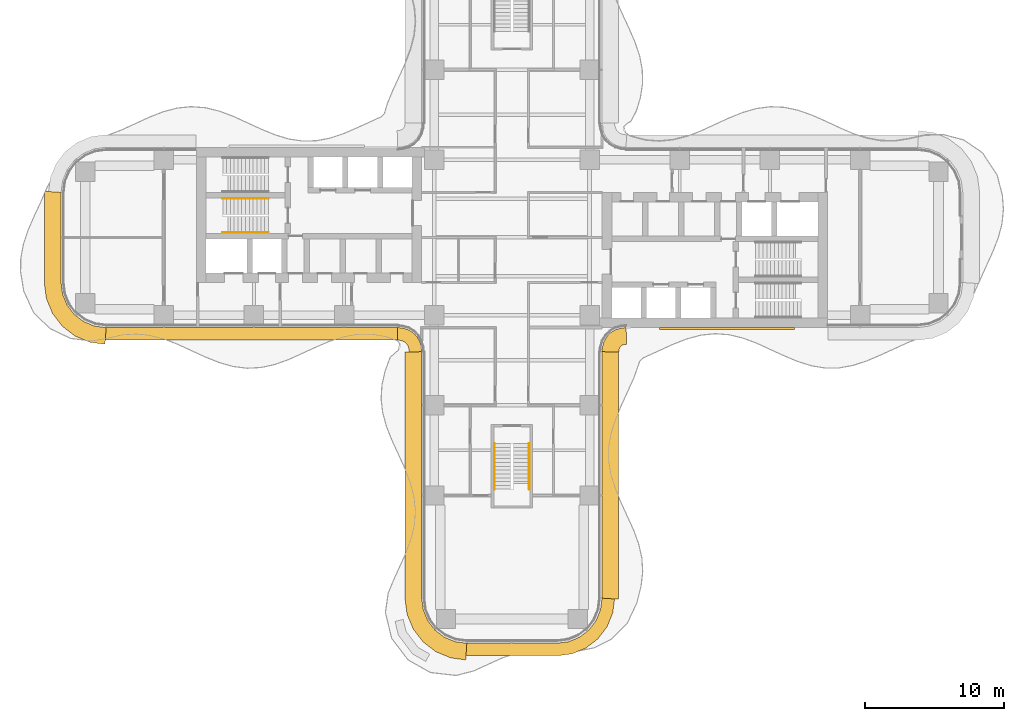
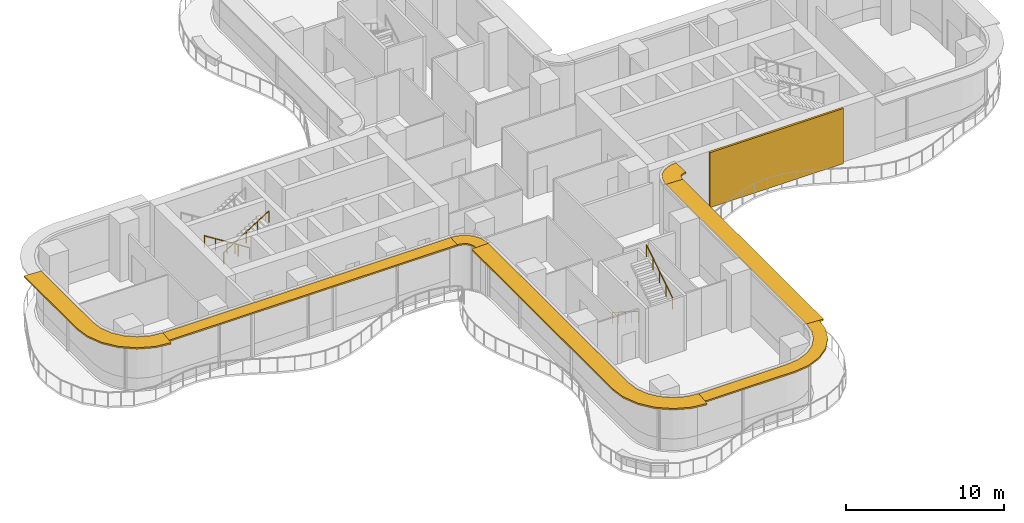
# One storey, part 21 of 22: 7 shading devices, 4 railings, 1 covering.
"""IFC4 building model written with IfcOpenShell, lengths in metres."""

import ifcopenshell
import ifcopenshell.guid

model = None  # the IFC model being written
_history = None  # IfcOwnerHistory: only IFC2X3 demands one
_inside = {}  # id of a spatial element -> (the spatial element, [elements in it])
_under = {}  # id of a project, library or spatial element -> (it, [spatial elements below it])
_declared = {}  # id of a project -> (the project, [libraries it declares])
_typed = {}  # id of a type object -> (the type object, [elements of that type])
_made_of = {}  # id of a material, layer set ... -> (it, [elements and type objects made of it])


def new_model(schema):
    """Start an empty IFC model of exactly this schema.

    Asked for "IFC4X3", IfcOpenShell would pick the latest addendum, in which some entities
    have other attributes; the version numbers below select the first issue.
    IFC2X3 requires an IfcOwnerHistory on every rooted entity: one is made here for all.
    """
    global model, _history
    if schema == "IFC4X3":
        model = ifcopenshell.file(schema_version=(4, 3, 0, 0))
    else:
        model = ifcopenshell.file(schema=schema)
    _inside.clear()
    _under.clear()
    _declared.clear()
    _typed.clear()
    _made_of.clear()
    _history = None
    if model.schema == "IFC2X3":
        org = make("IfcOrganization", Name="unknown")
        user = make(
            "IfcPersonAndOrganization",
            ThePerson=make("IfcPerson", FamilyName="unknown"),
            TheOrganization=org,
        )
        app = make(
            "IfcApplication",
            ApplicationDeveloper=org,
            Version="unknown",
            ApplicationFullName="unknown",
            ApplicationIdentifier="unknown",
        )
        _history = make(
            "IfcOwnerHistory",
            OwningUser=user,
            OwningApplication=app,
            ChangeAction="ADDED",
            CreationDate=0,
        )
    return model


def make(cls, **values):
    """One entity of the class cls with the attributes given. An attribute that is None is left unset."""
    return model.create_entity(
        cls, **{name: value for name, value in values.items() if value is not None}
    )


def rooted(cls, **values):
    """An entity with a GlobalId (a new one), such as an element, a storey or a relation."""
    return make(cls, GlobalId=ifcopenshell.guid.new(), OwnerHistory=_history, **values)


def si_unit(unit_type, name, prefix=None):
    """IfcSIUnit, for example si_unit("LENGTHUNIT", "METRE", prefix="MILLI")."""
    return make("IfcSIUnit", UnitType=unit_type, Prefix=prefix, Name=name)


def assignment(units):
    """IfcUnitAssignment: the units of a project."""
    return None if units is None else make("IfcUnitAssignment", Units=units)


def point(xyz):
    """IfcCartesianPoint."""
    return None if xyz is None else make("IfcCartesianPoint", Coordinates=xyz)


def direction(xyz):
    """IfcDirection."""
    return None if xyz is None else make("IfcDirection", DirectionRatios=xyz)


def frame(location, z_axis=None, x_axis=None):
    """IfcAxis2Placement3D, a coordinate frame: its origin and axes. An axis left out is left unset."""
    return make(
        "IfcAxis2Placement3D",
        Location=point(location),
        Axis=direction(z_axis),
        RefDirection=direction(x_axis),
    )


def frame_2d(location, x_axis=None):
    """IfcAxis2Placement2D, a coordinate frame in the plane: its origin and x axis."""
    return make(
        "IfcAxis2Placement2D", Location=point(location), RefDirection=direction(x_axis)
    )


def origin():
    """The frame at (0, 0, 0) with its axes left unset."""
    return frame((0.0, 0.0, 0.0))


def origin_2d():
    """The frame at (0, 0) in the plane with its x axis left unset."""
    return frame_2d((0.0, 0.0))


def place(relative_to, where):
    """IfcLocalPlacement: puts the frame where relative to a parent placement (None: the world)."""
    return make(
        "IfcLocalPlacement", PlacementRelTo=relative_to, RelativePlacement=where
    )


def context(
    kind, dimensions, precision=None, world=None, true_north=None, identifier=None
):
    """IfcGeometricRepresentationContext, for example the 3D "Model" context."""
    return make(
        "IfcGeometricRepresentationContext",
        ContextIdentifier=identifier,
        ContextType=kind,
        CoordinateSpaceDimension=dimensions,
        Precision=precision,
        WorldCoordinateSystem=world,
        TrueNorth=true_north,
    )


def subcontext(parent, identifier, kind, view, scale=None):
    """IfcGeometricRepresentationSubContext, for example "Body" below "Model"."""
    return make(
        "IfcGeometricRepresentationSubContext",
        ContextIdentifier=identifier,
        ContextType=kind,
        ParentContext=parent,
        TargetScale=scale,
        TargetView=view,
    )


def project(units=None, contexts=None):
    """IfcProject with its units and contexts."""
    return rooted(
        "IfcProject",
        Name="project",
        RepresentationContexts=contexts,
        UnitsInContext=assignment(units),
    )


def spatial(cls, under=None, at=None, **own):
    """A site, building, storey or space (cls), placed at a placement, below another one or the project."""
    s = rooted(cls, ObjectPlacement=at, **own)
    if under is not None:
        _under.setdefault(under.id(), (under, []))[1].append(s)
    return s


def polyline(points):
    """IfcPolyline through the points."""
    return make("IfcPolyline", Points=[point(p) for p in points])


def profile(cls, at=None, kind="AREA", **sizes):
    """A parametric profile (cls). Its sizes go by their IFC names, for example OverallWidth=200.0."""
    return make(cls, ProfileType=kind, Position=at, **sizes)


def circle(**sizes):
    """IfcCircleProfileDef."""
    return profile("IfcCircleProfileDef", **sizes)


def outline(outer, holes=None, kind="AREA"):
    """IfcArbitraryClosedProfileDef: a profile drawn as a closed curve; with holes, ...WithVoids."""
    if holes is None:
        return make("IfcArbitraryClosedProfileDef", ProfileType=kind, OuterCurve=outer)
    return make(
        "IfcArbitraryProfileDefWithVoids",
        ProfileType=kind,
        OuterCurve=outer,
        InnerCurves=holes,
    )


def extrude(swept, where, along, depth):
    """IfcExtrudedAreaSolid: the profile swept, set in the frame where, extruded along a direction by depth."""
    return make(
        "IfcExtrudedAreaSolid",
        SweptArea=swept,
        Position=where,
        ExtrudedDirection=direction(along),
        Depth=depth,
    )


def shape(context_of_items, identifier, shape_type, items):
    """IfcShapeRepresentation: the items that make up one representation, for example the "Body"."""
    return make(
        "IfcShapeRepresentation",
        ContextOfItems=context_of_items,
        RepresentationIdentifier=identifier,
        RepresentationType=shape_type,
        Items=items,
    )


def source(mapping_origin, context_of_items, identifier, shape_type, items):
    """IfcRepresentationMap: a shape defined once, which mapped items show again and again."""
    return make(
        "IfcRepresentationMap",
        MappingOrigin=mapping_origin,
        MappedRepresentation=shape(context_of_items, identifier, shape_type, items),
    )


def transform(
    local_origin,
    x_axis=None,
    y_axis=None,
    z_axis=None,
    scale=None,
    scale2=None,
    scale3=None,
    uniform=True,
):
    """IfcCartesianTransformationOperator3D, or its non-uniform kind. x_axis, y_axis, z_axis: its Axis1, 2, 3."""
    if uniform:
        return make(
            "IfcCartesianTransformationOperator3D",
            Axis1=direction(x_axis),
            Axis2=direction(y_axis),
            LocalOrigin=point(local_origin),
            Scale=scale,
            Axis3=direction(z_axis),
        )
    return make(
        "IfcCartesianTransformationOperator3DnonUniform",
        Axis1=direction(x_axis),
        Axis2=direction(y_axis),
        LocalOrigin=point(local_origin),
        Scale=scale,
        Axis3=direction(z_axis),
        Scale2=scale2,
        Scale3=scale3,
    )


def mapped(mapping_source, mapping_target):
    """IfcMappedItem: shows the shape of a source again, moved by a transform."""
    return make(
        "IfcMappedItem", MappingSource=mapping_source, MappingTarget=mapping_target
    )


def material(Name=None, Category=None):
    """IfcMaterial."""
    return make("IfcMaterial", Name=Name, Category=Category)


def layer(
    of_material, thickness, ventilated=None, Name=None, Category=None, Priority=None
):
    """IfcMaterialLayer: one layer of a wall or slab, of a material (None: an air gap)."""
    return make(
        "IfcMaterialLayer",
        Material=of_material,
        LayerThickness=thickness,
        IsVentilated=ventilated,
        Name=Name,
        Category=Category,
        Priority=Priority,
    )


def layer_set(layers, Name=None):
    """IfcMaterialLayerSet."""
    return make("IfcMaterialLayerSet", MaterialLayers=layers, LayerSetName=Name)


def made_of(thing, what):
    """Note that an element or type object is made of a material, layer set ...; save() writes the relation."""
    if what is not None:
        _made_of.setdefault(what.id(), (what, []))[1].append(thing)
    return thing


def type_object(cls, material=None, **own):
    """A type object (cls), such as IfcWallType, which elements share."""
    return made_of(rooted(cls, **own), material)


def element(
    cls,
    number,
    at=None,
    inside=None,
    cuts=None,
    type_object=None,
    material=None,
    context=None,
    identifier="Body",
    shape_type=None,
    held_by="IfcProductDefinitionShape",
    body=None,
    shapes=None,
    **own,
):
    """One element of the class cls, such as IfcWall. Its Tag is "e" and its number.

    at: its placement. inside: the storey or other place that contains it. cuts: it is an
    opening in that element (IfcRelVoidsElement). A single representation is given by context,
    identifier, shape_type and body (its items); several are given by shapes. held_by: the class
    of the entity that holds the representations. save() writes the other relations.
    """
    e = rooted(cls, Tag="e%d" % number, ObjectPlacement=at, **own)
    if body is not None:
        shapes = [shape(context, identifier, shape_type, body)]
    if shapes is not None:
        e.Representation = make(held_by, Representations=shapes)
    if inside is not None:
        _inside.setdefault(inside.id(), (inside, []))[1].append(e)
    if cuts is not None:
        rooted(
            "IfcRelVoidsElement", RelatingBuildingElement=cuts, RelatedOpeningElement=e
        )
    if type_object is not None:
        _typed.setdefault(type_object.id(), (type_object, []))[1].append(e)
    return made_of(e, material)


def aggregate(whole, parts):
    """IfcRelAggregates: a whole, such as a stair, and the parts it consists of."""
    return rooted("IfcRelAggregates", RelatingObject=whole, RelatedObjects=parts)


def save(model, path):
    """Write the relations noted so far, then the file.

    IfcRelAggregates (storeys below a building ...), IfcRelContainedInSpatialStructure (elements
    in a storey), IfcRelDefinesByType, IfcRelAssociatesMaterial and IfcRelDeclares: one each for
    every whole, place, type object, material and project.
    """
    for whole, parts in _under.values():
        aggregate(whole, parts)
    for where, things in _inside.values():
        rooted(
            "IfcRelContainedInSpatialStructure",
            RelatedElements=things,
            RelatingStructure=where,
        )
    for kind, things in _typed.values():
        rooted("IfcRelDefinesByType", RelatedObjects=things, RelatingType=kind)
    for what, things in _made_of.values():
        rooted("IfcRelAssociatesMaterial", RelatedObjects=things, RelatingMaterial=what)
    for by, libraries in _declared.values():
        rooted("IfcRelDeclares", RelatingContext=by, RelatedDefinitions=libraries)
    model.write(path)


model = new_model("IFC4")

# Units and contexts
model_context = context("Model", 3, precision=1e-05, world=origin(), true_north=direction((0.0, 1.0)))
body_context = subcontext(model_context, "Body", "Model", "MODEL_VIEW")
ifc_project = project(units=[si_unit("LENGTHUNIT", "METRE"), si_unit("AREAUNIT", "SQUARE_METRE"), si_unit("VOLUMEUNIT", "CUBIC_METRE"), si_unit("PLANEANGLEUNIT", "RADIAN"), si_unit("MASSUNIT", "GRAM", prefix="KILO")], contexts=[model_context])

# Site, building, storey
site_placement = place(None, origin())
site = spatial("IfcSite", under=ifc_project, at=site_placement, CompositionType="ELEMENT")
building_placement = place(site_placement, origin())
building = spatial("IfcBuilding", under=site, at=building_placement, Name="Trellis Farm Tower", CompositionType="ELEMENT")
storey_placement = place(building_placement, frame((0.0, 0.0, 38.5)))
storey = spatial("IfcBuildingStorey", under=building, at=storey_placement, Name="L07", CompositionType="ELEMENT", Elevation=38.5)

# Railings
ifc_material_1 = material(Name="Stainless steel", Category="steel")
railing_type = type_object("IfcRailingType", Name="STAIR HANDRAIL 900", PredefinedType="HANDRAIL", material=ifc_material_1)
shared_shape_1 = source(origin(), body_context, "Body", "SweptSolid", [
    extrude(circle(Radius=0.02392578125, at=origin_2d()), frame((0.0, 0.0, 0.8759765625), z_axis=(0.0, 0.846319618018, 0.532675421018), x_axis=(-1.0, 0.0, 0.0)), (0.0, 0.0, 1.0), 3.89892578125),
    extrude(circle(Radius=0.02099609375, at=origin_2d()), origin(), (0.0, 0.0, 1.0), 0.851806640625),
    extrude(circle(Radius=0.02099609375, at=origin_2d()), frame((0.0, 0.824951171875, 0.519287109375)), (0.0, 0.0, 1.0), 0.851806640625),
    extrude(circle(Radius=0.02099609375, at=origin_2d()), frame((0.0, 1.64990234375, 1.03857421875)), (0.0, 0.0, 1.0), 0.851806640625),
    extrude(circle(Radius=0.02099609375, at=origin_2d()), frame((0.0, 2.474853515625, 1.5576171875)), (0.0, 0.0, 1.0), 0.851806640625),
    extrude(circle(Radius=0.02099609375, at=origin_2d()), frame((0.0, 3.2998046875, 2.076904296875)), (0.0, 0.0, 1.0), 0.851806640625),
])
railing_1_placement = place(storey_placement, frame((1.25, -18.14990234375, 2.423095703125)))
element("IfcRailing", 1, at=railing_1_placement, inside=storey, type_object=railing_type, Name="Stair handrail", PredefinedType="HANDRAIL", context=body_context, shape_type="MappedRepresentation", body=[
    mapped(shared_shape_1, transform((0.0, 0.0, 0.0))),
])
shared_shape_2 = source(origin(), body_context, "Body", "SweptSolid", [
    extrude(circle(Radius=0.02392578125, at=origin_2d()), frame((0.0, 0.0, 0.8759765625), z_axis=(0.0, -0.846319618018, 0.532675421018), x_axis=(1.0, 0.0, 0.0)), (0.0, 0.0, 1.0), 3.89892578125),
    extrude(circle(Radius=0.02099609375, at=origin_2d()), origin(), (0.0, 0.0, 1.0), 0.851806640625),
    extrude(circle(Radius=0.02099609375, at=origin_2d()), frame((0.0, -0.824951171875, 0.519287109375)), (0.0, 0.0, 1.0), 0.851806640625),
    extrude(circle(Radius=0.02099609375, at=origin_2d()), frame((0.0, -1.64990234375, 1.03857421875)), (0.0, 0.0, 1.0), 0.851806640625),
    extrude(circle(Radius=0.02099609375, at=origin_2d()), frame((0.0, -2.474853515625, 1.5576171875)), (0.0, 0.0, 1.0), 0.851806640625),
    extrude(circle(Radius=0.02099609375, at=origin_2d()), frame((0.0, -3.2998046875, 2.076904296875)), (0.0, 0.0, 1.0), 0.851806640625),
])
railing_2_placement = place(storey_placement, frame((-1.25, -14.85009765625, 0.173095703125)))
element("IfcRailing", 2, at=railing_2_placement, inside=storey, type_object=railing_type, Name="Stair handrail", PredefinedType="HANDRAIL", context=body_context, shape_type="MappedRepresentation", body=[
    mapped(shared_shape_2, transform((0.0, 0.0, 0.0))),
])
shared_shape_3 = source(origin(), body_context, "Body", "SweptSolid", [
    extrude(circle(Radius=0.02392578125, at=origin_2d()), frame((0.0, 0.0, 0.8759765625), z_axis=(0.846337383501, 0.0, 0.532647194011), x_axis=(0.0, 1.0, 0.0)), (0.0, 0.0, 1.0), 3.899169921875),
    extrude(circle(Radius=0.02099609375, at=origin_2d()), origin(), (0.0, 0.0, 1.0), 0.851806640625),
    extrude(circle(Radius=0.02099609375, at=origin_2d()), frame((0.824951171875, 0.0, 0.519287109375)), (0.0, 0.0, 1.0), 0.851806640625),
    extrude(circle(Radius=0.02099609375, at=origin_2d()), frame((1.64990234375, 0.0, 1.03857421875)), (0.0, 0.0, 1.0), 0.851806640625),
    extrude(circle(Radius=0.02099609375, at=origin_2d()), frame((2.47509765625, 0.0, 1.5576171875)), (0.0, 0.0, 1.0), 0.851806640625),
    extrude(circle(Radius=0.02099609375, at=origin_2d()), frame((3.300048828125, 0.0, 2.076904296875)), (0.0, 0.0, 1.0), 0.851806640625),
])
railing_3_placement = place(storey_placement, frame((-20.85009765625, 0.35009765625, 2.423095703125)))
element("IfcRailing", 3, at=railing_3_placement, inside=storey, type_object=railing_type, Name="Stair handrail", PredefinedType="HANDRAIL", context=body_context, shape_type="MappedRepresentation", body=[
    mapped(shared_shape_3, transform((0.0, 0.0, 0.0))),
])
shared_shape_4 = source(origin(), body_context, "Body", "SweptSolid", [
    extrude(circle(Radius=0.02392578125, at=origin_2d()), frame((0.0, 0.0, 0.8759765625), z_axis=(-0.846337383501, 0.0, 0.532647194011), x_axis=(0.0, -1.0, 0.0)), (0.0, 0.0, 1.0), 3.899169921875),
    extrude(circle(Radius=0.02099609375, at=origin_2d()), origin(), (0.0, 0.0, 1.0), 0.851806640625),
    extrude(circle(Radius=0.02099609375, at=origin_2d()), frame((-0.824951171875, 0.0, 0.519287109375)), (0.0, 0.0, 1.0), 0.851806640625),
    extrude(circle(Radius=0.02099609375, at=origin_2d()), frame((-1.64990234375, 0.0, 1.03857421875)), (0.0, 0.0, 1.0), 0.851806640625),
    extrude(circle(Radius=0.02099609375, at=origin_2d()), frame((-2.47509765625, 0.0, 1.5576171875)), (0.0, 0.0, 1.0), 0.851806640625),
    extrude(circle(Radius=0.02099609375, at=origin_2d()), frame((-3.300048828125, 0.0, 2.076904296875)), (0.0, 0.0, 1.0), 0.851806640625),
])
railing_4_placement = place(storey_placement, frame((-17.550048828125, 2.800048828125, 0.173095703125)))
element("IfcRailing", 4, at=railing_4_placement, inside=storey, type_object=railing_type, Name="Stair handrail", PredefinedType="HANDRAIL", context=body_context, shape_type="MappedRepresentation", body=[
    mapped(shared_shape_4, transform((0.0, 0.0, 0.0))),
])

# Shading devices
ifc_material_2 = material(Name="Aluminium extrusion 6063-T6", Category="aluminium")
ifc_layer_1 = layer(ifc_material_2, 0.1201171875)
ifc_layer_set_1 = layer_set([ifc_layer_1], Name="SUNSHADE BLADE 900")
shading_device_type_1 = type_object("IfcShadingDeviceType", Name="SUNSHADE BLADE 900", PredefinedType="USERDEFINED", material=ifc_layer_set_1)
shared_shape_5 = source(origin(), body_context, "Body", "SweptSolid", [
    extrude(outline(polyline([(-29.30908203125, -7.39990234375), (-8.2607421875, -7.39990234375), (-8.2314453125, -6.5), (-29.25, -6.5), (-29.30908203125, -7.39990234375)])), origin(), (0.0, 0.0, 1.0), 0.119873046875),
])
placement = place(storey_placement, frame((0.0, 0.0, 4.090087890625)))
element("IfcShadingDevice", 5, at=placement, inside=storey, type_object=shading_device_type_1, Name="SD1 001", ObjectType="SUNSHADE", PredefinedType="USERDEFINED", context=body_context, shape_type="MappedRepresentation", body=[
    mapped(shared_shape_5, transform((0.0, 0.0, 0.0))),
])
shared_shape_6 = source(origin(), body_context, "Body", "SweptSolid", [
    extrude(outline(polyline([(-8.2607421875, -7.39990234375), (-8.107666015625, -7.409912109375), (-8.091552734375, -7.412109375), (-7.85595703125, -7.475341796875), (-7.697021484375, -7.567138671875), (-7.567138671875, -7.697021484375), (-7.475341796875, -7.85595703125), (-7.412109375, -8.091552734375), (-7.409912109375, -8.107666015625), (-7.39990234375, -8.2607421875), (-6.5, -8.2314453125), (-6.513916015625, -8.01953125), (-6.527587890625, -7.91552734375), (-6.63671875, -7.508544921875), (-6.846923828125, -7.144287109375), (-7.144287109375, -6.846923828125), (-7.508544921875, -6.63671875), (-7.91552734375, -6.527587890625), (-8.01953125, -6.513916015625), (-8.2314453125, -6.5), (-8.2607421875, -7.39990234375)])), origin(), (0.0, 0.0, 1.0), 0.119873046875),
])
element("IfcShadingDevice", 6, at=placement, inside=storey, type_object=shading_device_type_1, Name="SD1 002", ObjectType="SUNSHADE", PredefinedType="USERDEFINED", context=body_context, shape_type="MappedRepresentation", body=[
    mapped(shared_shape_6, transform((0.0, 0.0, 0.0))),
])
ifc_layer_2 = layer(ifc_material_2, 0.1201171875)
ifc_layer_set_2 = layer_set([ifc_layer_2], Name="SUNSHADE BLADE 1200")
shading_device_type_2 = type_object("IfcShadingDeviceType", Name="SUNSHADE BLADE 1200", PredefinedType="USERDEFINED", material=ifc_layer_set_2)
shared_shape_7 = source(origin(), body_context, "Body", "SweptSolid", [
    extrude(outline(polyline([(-7.699951171875, -8.270751953125), (-7.699951171875, -26.07861328125), (-7.558349609375, -27.154541015625), (-7.11279296875, -28.230224609375), (-6.404052734375, -29.154052734375), (-5.480224609375, -29.86279296875), (-4.404541015625, -30.308349609375), (-3.32861328125, -30.449951171875), (-3.25, -29.25), (-4.091064453125, -29.13916015625), (-4.875, -28.814697265625), (-5.548095703125, -28.298095703125), (-6.064697265625, -27.625), (-6.38916015625, -26.841064453125), (-6.5, -26.0), (-6.5, -8.2314453125), (-7.699951171875, -8.270751953125)])), origin(), (0.0, 0.0, 1.0), 0.119873046875),
])
element("IfcShadingDevice", 7, at=placement, inside=storey, type_object=shading_device_type_2, Name="SD2 003", ObjectType="SUNSHADE", PredefinedType="USERDEFINED", context=body_context, shape_type="MappedRepresentation", body=[
    mapped(shared_shape_7, transform((0.0, 0.0, 0.0))),
])
shared_shape_8 = source(origin(), body_context, "Body", "SweptSolid", [
    extrude(outline(polyline([(-3.30908203125, -30.14990234375), (3.30908203125, -30.14990234375), (4.326171875, -30.01611328125), (5.328857421875, -29.600830078125), (6.18994140625, -28.93994140625), (6.850830078125, -28.078857421875), (7.26611328125, -27.076171875), (7.39990234375, -26.05908203125), (6.5, -26.0), (6.38916015625, -26.841064453125), (6.064697265625, -27.625), (5.548095703125, -28.298095703125), (4.875, -28.814697265625), (4.091064453125, -29.13916015625), (3.25, -29.25), (-3.25, -29.25), (-3.30908203125, -30.14990234375)])), origin(), (0.0, 0.0, 1.0), 0.119873046875),
])
element("IfcShadingDevice", 8, at=placement, inside=storey, type_object=shading_device_type_1, Name="SD1 004", ObjectType="SUNSHADE", PredefinedType="USERDEFINED", context=body_context, shape_type="MappedRepresentation", body=[
    mapped(shared_shape_8, transform((0.0, 0.0, 0.0))),
])
shared_shape_9 = source(origin(), body_context, "Body", "SweptSolid", [
    extrude(outline(polyline([(7.699951171875, -26.07861328125), (7.699951171875, -8.270751953125), (6.5, -8.2314453125), (6.5, -26.0), (7.699951171875, -26.07861328125)])), origin(), (0.0, 0.0, 1.0), 0.119873046875),
])
element("IfcShadingDevice", 9, at=placement, inside=storey, type_object=shading_device_type_2, Name="SD2 005", ObjectType="SUNSHADE", PredefinedType="USERDEFINED", context=body_context, shape_type="MappedRepresentation", body=[
    mapped(shared_shape_9, transform((0.0, 0.0, 0.0))),
])
shared_shape_10 = source(origin(), body_context, "Body", "SweptSolid", [
    extrude(outline(polyline([(7.699951171875, -8.270751953125), (7.708740234375, -8.13720703125), (7.70703125, -8.150146484375), (7.7548828125, -7.9716796875), (7.80712890625, -7.881103515625), (7.881103515625, -7.80712890625), (7.9716796875, -7.7548828125), (8.150146484375, -7.70703125), (8.13720703125, -7.708740234375), (8.270751953125, -7.699951171875), (8.2314453125, -6.5), (8.01953125, -6.513916015625), (7.91552734375, -6.527587890625), (7.508544921875, -6.63671875), (7.144287109375, -6.846923828125), (6.846923828125, -7.144287109375), (6.63671875, -7.508544921875), (6.527587890625, -7.91552734375), (6.513916015625, -8.01953125), (6.5, -8.2314453125), (7.699951171875, -8.270751953125)])), origin(), (0.0, 0.0, 1.0), 0.119873046875),
])
element("IfcShadingDevice", 10, at=placement, inside=storey, type_object=shading_device_type_2, Name="SD2 006", ObjectType="SUNSHADE", PredefinedType="USERDEFINED", context=body_context, shape_type="MappedRepresentation", body=[
    mapped(shared_shape_10, transform((0.0, 0.0, 0.0))),
])
shared_shape_11 = source(origin(), body_context, "Body", "SweptSolid", [
    extrude(outline(polyline([(-33.699951171875, 3.32861328125), (-33.699951171875, -3.32861328125), (-33.558349609375, -4.404541015625), (-33.11279296875, -5.480224609375), (-32.404052734375, -6.404052734375), (-31.480224609375, -7.11279296875), (-30.404541015625, -7.558349609375), (-29.32861328125, -7.699951171875), (-29.25, -6.5), (-30.091064453125, -6.38916015625), (-30.875, -6.064697265625), (-31.548095703125, -5.548095703125), (-32.064697265625, -4.875), (-32.38916015625, -4.091064453125), (-32.5, -3.25), (-32.5, 3.25), (-33.699951171875, 3.32861328125)])), origin(), (0.0, 0.0, 1.0), 0.119873046875),
])
element("IfcShadingDevice", 11, at=placement, inside=storey, type_object=shading_device_type_2, Name="SD2 016", ObjectType="SUNSHADE", PredefinedType="USERDEFINED", context=body_context, shape_type="MappedRepresentation", body=[
    mapped(shared_shape_11, transform((0.0, 0.0, 0.0))),
])

# Covering
ifc_material_3 = material(Name="Perforated precast screen (cobogo)", Category="concrete")
ifc_layer_3 = layer(ifc_material_3, 0.14990234375)
ifc_layer_set_3 = layer_set([ifc_layer_3], Name="COBOGO SCREEN PANEL")
covering_type = type_object("IfcCoveringType", Name="COBOGO SCREEN PANEL", PredefinedType="USERDEFINED", material=ifc_layer_set_3)
shared_shape_12 = source(origin(), body_context, "Body", "SweptSolid", [
    extrude(outline(polyline([(10.630615234375, -6.64990234375), (20.380615234375, -6.64990234375), (20.380615234375, -6.5), (10.630615234375, -6.5), (10.630615234375, -6.64990234375)])), origin(), (0.0, 0.0, 1.0), 4.25),
])
covering_placement = place(storey_placement, origin())
element("IfcCovering", 12, at=covering_placement, inside=storey, type_object=covering_type, Name="SC1 01", ObjectType="SCREEN", PredefinedType="USERDEFINED", context=body_context, shape_type="MappedRepresentation", body=[
    mapped(shared_shape_12, transform((0.0, 0.0, 0.0))),
])

save(model, "model.ifc")
